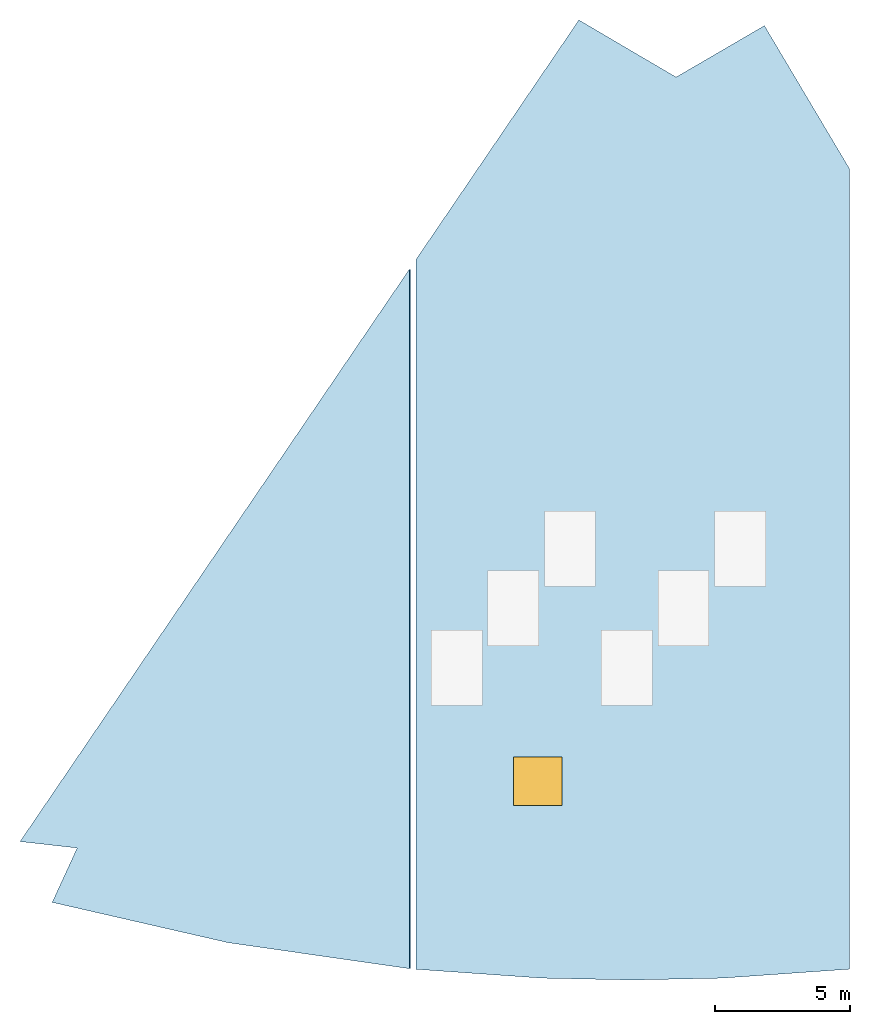
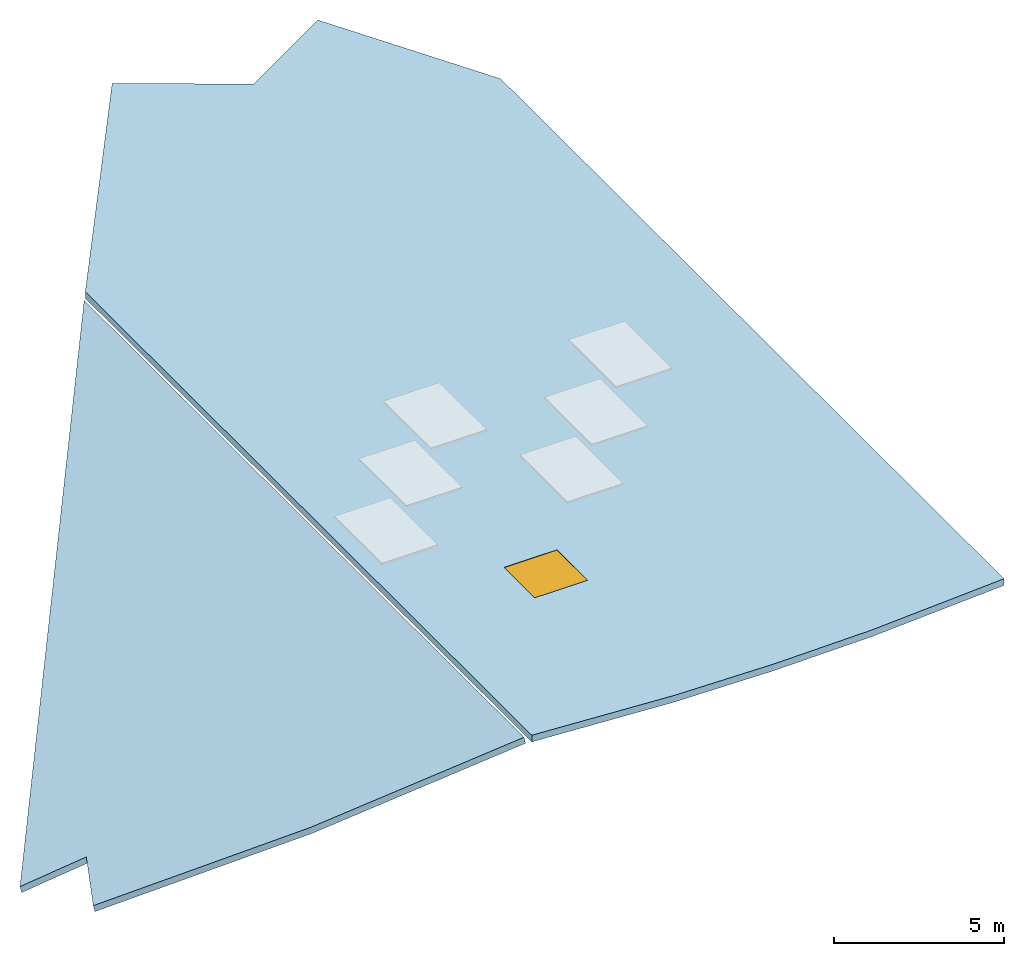
# One storey, part 1 of 2: 2 slabs, 1 window, 1 opening.
"""IFC4 building model written with IfcOpenShell, lengths in metres."""

from ifc_helpers import new_model, si_unit, direction, frame, origin, origin_2d, place, context, subcontext, project, spatial, polyline, rectangle, outline, extrude, material, layer, layer_set, type_object, element, fill, save


model = new_model("IFC4")

# Units and contexts
model_context = context("Model", 3, precision=1e-05, world=origin(), true_north=direction((0.0, 1.0)))
body_context = subcontext(model_context, "Body", "Model", "MODEL_VIEW")
ifc_project = project(units=[si_unit("LENGTHUNIT", "METRE"), si_unit("AREAUNIT", "SQUARE_METRE"), si_unit("VOLUMEUNIT", "CUBIC_METRE"), si_unit("PLANEANGLEUNIT", "RADIAN"), si_unit("MASSUNIT", "GRAM", prefix="KILO")], contexts=[model_context])

# Site, building, storey
site_placement = place(None, origin())
site = spatial("IfcSite", under=ifc_project, at=site_placement, CompositionType="ELEMENT")
building_placement = place(site_placement, origin())
building = spatial("IfcBuilding", under=site, at=building_placement, Name="Savorim Split Tower", CompositionType="ELEMENT")
storey_placement = place(building_placement, frame((0.0, 0.0, 322.800048828125)))
storey = spatial("IfcBuildingStorey", under=building, at=storey_placement, Name="Roof", CompositionType="ELEMENT", Elevation=322.800048828125)

# Slab, opening, window
ifc_material_1 = material(Name="Concrete C50/60", Category="concrete")
ifc_layer = layer(ifc_material_1, 0.239990234375)
ifc_layer_set = layer_set([ifc_layer], Name="SLB-ROOF-240")
slab_type = type_object("IfcSlabType", Name="SLB-ROOF-240", PredefinedType="ROOF", material=ifc_layer_set)
slab_1_placement = place(storey_placement, frame((0.0, 0.0, -0.239990234375)))
slab_1 = element("IfcSlab", 1, at=slab_1_placement, inside=storey, type_object=slab_type, Name="West Split Crown Ridge Roof Slab", PredefinedType="ROOF", context=body_context, shape_type="SweptSolid", body=[
    extrude(outline(polyline([(-8.0, 12.1123046875), (-8.0, -14.166748046875), (-3.341552734375, -14.493896484375), (0.0, -14.5625), (3.341552734375, -14.493896484375), (8.050048828125, -14.162109375), (8.050048828125, 15.45703125), (4.894287109375, 20.764404296875), (1.62548828125, 18.859130859375), (-1.971923828125, 20.973388671875), (-8.0, 12.1123046875)])), origin(), (0.0, 0.0, 1.0), 0.239990234375),
])
opening_placement = place(slab_1_placement, frame((-3.5, -7.199951171875, -0.010009765625)))
opening = element("IfcOpeningElement", 2, at=opening_placement, cuts=slab_1, Name="Opening SK-03", PredefinedType="OPENING", context=body_context, shape_type="SweptSolid", body=[
    extrude(rectangle(XDim=1.800048828125, YDim=1.800048828125, at=origin_2d()), origin(), (0.0, 0.0, 1.0), 0.260009765625),
])
ifc_material_2 = material(Name="Laminated Safety Skylight Glass", Category="glass")
window_type = type_object("IfcWindowType", Name="SKY-CRN-1800x1800", PartitioningType="SINGLE_PANEL", PredefinedType="SKYLIGHT", material=ifc_material_2)
window_placement = place(opening_placement, frame((0.0, 0.0, 0.18994140625)))
window = element("IfcWindow", 3, at=window_placement, inside=storey, type_object=window_type, Name="Roof West Crest Maintenance Access Hatch 01", OverallHeight=1.800048828125, OverallWidth=1.800048828125, PartitioningType="SINGLE_PANEL", PredefinedType="SKYLIGHT", context=body_context, shape_type="SweptSolid", body=[
    extrude(rectangle(XDim=1.800048828125, YDim=1.800048828125, at=origin_2d()), origin(), (0.0, 0.0, 1.0), 0.050048828125),
])
fill(opening, window)

# Slab
slab_2_placement = place(storey_placement, frame((-8.25, 11.744873046875, 0.0), z_axis=(-0.214871112374, 6.886576e-06, 0.9766424141), x_axis=(-0.558212627215, -0.820559081411, -0.12280658261)))
element("IfcSlab", 4, at=slab_2_placement, inside=storey, type_object=slab_type, Name="West Split Crown Sloped Crest Roof Slab", PredefinedType="ROOF", context=body_context, shape_type="SweptSolid", body=[
    extrude(outline(polyline([(0.0, 0.0), (25.8166444193358, 8.881784197001252e-16), (24.77220042302591, 1.9129275189900519), (26.96645310092611, 2.286721264410376), (24.37806291916958, 8.612593333573509), (21.243184812692945, 14.796973691718273), (0.0, 0.0)])), origin(), (0.0, 0.0, -1.0), 0.239990234375),
])

save(model, "model.ifc")
